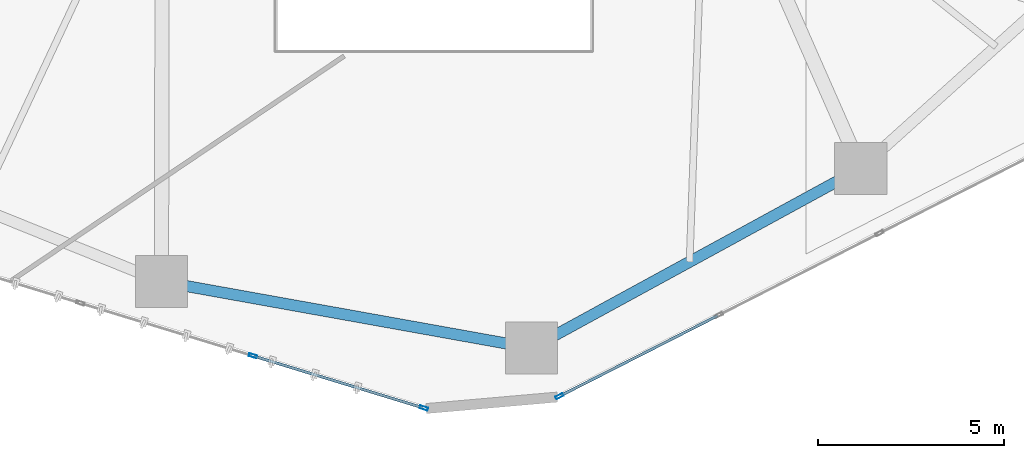
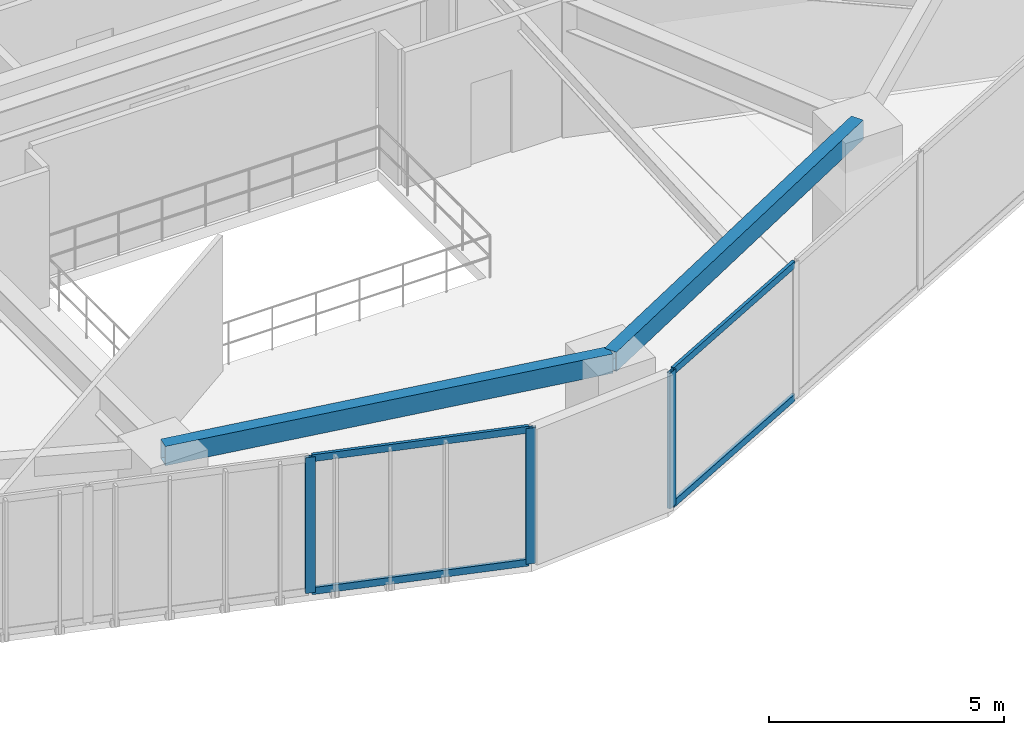
# One storey, part 5 of 24: 7 members, 2 beams, 2 elements without a shape of their own.
"""IFC4 building model written with IfcOpenShell, lengths in metres."""

from ifc_helpers import new_model, si_unit, direction, frame, origin, origin_2d, place, context, subcontext, project, spatial, hollow_rectangle, extrude, source, transform, mapped, material, layer, layer_set, material_profile, profile_set, type_object, type_shapes, element, aggregate, save


model = new_model("IFC4")

# Units and contexts
model_context = context("Model", 3, precision=1e-05, world=origin(), true_north=direction((0.0, 1.0)))
body_context = subcontext(model_context, "Body", "Model", "MODEL_VIEW")
ifc_project = project(units=[si_unit("LENGTHUNIT", "METRE"), si_unit("AREAUNIT", "SQUARE_METRE"), si_unit("VOLUMEUNIT", "CUBIC_METRE"), si_unit("PLANEANGLEUNIT", "RADIAN"), si_unit("MASSUNIT", "GRAM", prefix="KILO")], contexts=[model_context])

# Site, building, storey
site_placement = place(None, origin())
site = spatial("IfcSite", under=ifc_project, at=site_placement, CompositionType="ELEMENT")
building_placement = place(site_placement, origin())
building = spatial("IfcBuilding", under=site, at=building_placement, Name="Talar Marvaseh", CompositionType="ELEMENT")
storey_placement = place(building_placement, frame((0.0, 0.0, 39.199951171875)))
storey = spatial("IfcBuildingStorey", under=building, at=storey_placement, Name="L09", CompositionType="ELEMENT", Elevation=39.199951171875)

# Beams
ifc_material_1 = material(Name="Steel S355", Category="steel")
ifc_material_profile_1 = material_profile(ifc_material_1, hollow_rectangle(XDim=0.300048828125, YDim=0.5, WallThickness=0.02001953125, at=origin_2d()), Name="RHS500x300x20")
ifc_profile_set_1 = profile_set([ifc_material_profile_1], Name="Steel S355")
beam_type = type_object("IfcBeamType", Name="Zone 1 Perimeter Spandrel Beam RHS500x300x20", PredefinedType="SPANDREL", material=ifc_profile_set_1)
beam_1_placement = place(storey_placement, frame((37.468017578125, 16.02099609375, 3.27001953125), z_axis=(-0.877792749602, -0.47904059196, 0.0), x_axis=(0.47904059196, -0.877792749602, 0.0)))
element("IfcBeam", 1, at=beam_1_placement, inside=storey, type_object=beam_type, Name="L09 Zone 1 Perimeter Spandrel Beam RHS500x300x20", PredefinedType="SPANDREL", context=body_context, shape_type="SweptSolid", body=[
    extrude(hollow_rectangle(XDim=0.300048828125, YDim=0.5, WallThickness=0.02001953125, at=origin_2d()), origin(), (0.0, 0.0, 1.0), 10.07421875),
])
beam_2_placement = place(storey_placement, frame((28.625, 11.195068359375, 3.27001953125), z_axis=(-0.984279934962, 0.176615428632, 0.0), x_axis=(-0.176615428632, -0.984279934962, 0.0)))
element("IfcBeam", 2, at=beam_2_placement, inside=storey, type_object=beam_type, Name="L09 Zone 1 Perimeter Spandrel Beam RHS500x300x20", PredefinedType="SPANDREL", context=body_context, shape_type="SweptSolid", body=[
    extrude(hollow_rectangle(XDim=0.300048828125, YDim=0.5, WallThickness=0.02001953125, at=origin_2d()), origin(), (0.0, 0.0, 1.0), 10.1005859375),
])

# Curtain wall, member
ifc_material_2 = material(Name="Architectural Aluminium", Category="aluminium")
ifc_layer = layer(ifc_material_2, 0.219970703125)
ifc_layer_set = layer_set([ifc_layer], Name="Architectural Aluminium")
curtain_wall_type = type_object("IfcCurtainWallType", Name="Unitised Low-E Museum Curtain Wall Z1", PredefinedType="NOTDEFINED", material=ifc_layer_set)
curtain_wall_1_placement = place(storey_placement, origin())
curtain_wall_1 = element("IfcCurtainWall", 3, at=curtain_wall_1_placement, inside=storey, type_object=curtain_wall_type, Name="L09 Unitised Low-E Museum Curtain Wall Z1", PredefinedType="NOTDEFINED")
ifc_material_profile_2 = material_profile(ifc_material_2, hollow_rectangle(XDim=0.080078125, YDim=0.219970703125, WallThickness=0.0048828125, at=origin_2d()), Name="RHS220x80x5")
ifc_profile_set_2 = profile_set([ifc_material_profile_2], Name="Architectural Aluminium")
member_type_1 = type_object("IfcMemberType", Name="Unitised Curtain Wall Heavy Mullion RHS220x80x5", PredefinedType="MULLION", material=ifc_profile_set_2)
shared_shape_1 = source(origin(), body_context, "Body", "SweptSolid", [
    extrude(hollow_rectangle(XDim=0.080078125, YDim=0.219970703125, WallThickness=0.0048828125, at=origin_2d()), origin(), (0.0, 0.0, 1.0), 3.52001953125),
])
type_shapes(member_type_1, [shared_shape_1])
member_1_placement = place(storey_placement, frame((29.374267578125, 9.900390625, 0.0), z_axis=(0.0, 0.0, 1.0), x_axis=(0.453850095655, -0.891078049709, 0.0)))
member_1 = element("IfcMember", 4, at=member_1_placement, type_object=member_type_1, Name="CW-Z1 mullion 6", PredefinedType="MULLION", context=body_context, shape_type="MappedRepresentation", body=[
    mapped(shared_shape_1, transform((0.0, 0.0, 0.0), x_axis=(1.0, 0.0, 0.0), y_axis=(0.0, 1.0, 0.0), z_axis=(0.0, 0.0, 1.0), scale=1.0)),
])

# Curtain wall, members
curtain_wall_2_placement = place(storey_placement, origin())
curtain_wall_2 = element("IfcCurtainWall", 5, at=curtain_wall_2_placement, inside=storey, type_object=curtain_wall_type, Name="L09 Unitised Low-E Museum Curtain Wall Z1", PredefinedType="NOTDEFINED")
member_2_placement = place(storey_placement, frame((25.733154296875, 9.581787109375, 0.0), z_axis=(0.0, 0.0, 1.0), x_axis=(-0.29222314974, -0.956350161163, 0.0)))
member_2 = element("IfcMember", 6, at=member_2_placement, type_object=member_type_1, Name="CW-Z1 mullion 1", PredefinedType="MULLION", context=body_context, shape_type="MappedRepresentation", body=[
    mapped(shared_shape_1, transform((0.0, 0.0, 0.0), x_axis=(1.0, 0.0, 0.0), y_axis=(0.0, 1.0, 0.0), z_axis=(0.0, 0.0, 1.0), scale=1.0)),
])
member_3_placement = place(storey_placement, frame((21.137451171875, 10.986083984375, 0.0), z_axis=(0.0, 0.0, 1.0), x_axis=(-0.29222314974, -0.956350161163, 0.0)))
member_3 = element("IfcMember", 7, at=member_3_placement, type_object=member_type_1, Name="CW-Z1 mullion 2", PredefinedType="MULLION", context=body_context, shape_type="MappedRepresentation", body=[
    mapped(shared_shape_1, transform((0.0, 0.0, 0.0), x_axis=(1.0, 0.0, 0.0), y_axis=(0.0, 1.0, 0.0), z_axis=(0.0, 0.0, 1.0), scale=1.0)),
])

# Member
ifc_material_profile_3 = material_profile(ifc_material_2, hollow_rectangle(XDim=0.074951171875, YDim=0.179931640625, WallThickness=0.0048828125, at=origin_2d()), Name="RHS180x75x5")
ifc_profile_set_3 = profile_set([ifc_material_profile_3], Name="Architectural Aluminium")
member_type_2 = type_object("IfcMemberType", Name="Unitised Curtain Wall Transom RHS180x75x5", PredefinedType="USERDEFINED", material=ifc_profile_set_3)
shared_shape_2 = source(origin(), body_context, "Body", "SweptSolid", [
    extrude(hollow_rectangle(XDim=0.074951171875, YDim=0.179931640625, WallThickness=0.0048828125, at=origin_2d()), origin(), (0.0, 0.0, 1.0), 4.725341796875),
])
type_shapes(member_type_2, [shared_shape_2])
member_4_placement = place(storey_placement, frame((33.62060546875, 12.063232421875, 0.03759765625), z_axis=(-0.891085623768, -0.453835224629, 0.0), x_axis=(0.453835224629, -0.891085623768, 0.0)))
member_4 = element("IfcMember", 8, at=member_4_placement, type_object=member_type_2, Name="CW-Z1 transom 5.1", ObjectType="TRANSOM", PredefinedType="USERDEFINED", context=body_context, shape_type="MappedRepresentation", body=[
    mapped(shared_shape_2, transform((0.0, 0.0, 0.0), x_axis=(1.0, 0.0, 0.0), y_axis=(0.0, 1.0, 0.0), z_axis=(0.0, 0.0, 1.0), scale=1.0)),
])

member_5_placement = place(storey_placement, frame((33.62060546875, 12.063232421875, 3.482666015625), z_axis=(-0.891085623768, -0.453835224629, 0.0), x_axis=(0.453835224629, -0.891085623768, 0.0)))
member_5 = element("IfcMember", 9, at=member_5_placement, type_object=member_type_2, Name="CW-Z1 transom 5.2", ObjectType="TRANSOM", PredefinedType="USERDEFINED", context=body_context, shape_type="MappedRepresentation", body=[
    mapped(shared_shape_2, transform((0.0, 0.0, 0.0), x_axis=(1.0, 0.0, 0.0), y_axis=(0.0, 1.0, 0.0), z_axis=(0.0, 0.0, 1.0), scale=1.0)),
])

aggregate(curtain_wall_1, [member_1, member_4, member_5])

member_6_placement = place(storey_placement, frame((25.69482421875, 9.593505859375, 0.03759765625), z_axis=(-0.956349164528, 0.292226411376, 0.0), x_axis=(-0.292226411376, -0.956349164528, 0.0)))
member_6 = element("IfcMember", 10, at=member_6_placement, type_object=member_type_2, Name="CW-Z1 transom 1.1", ObjectType="TRANSOM", PredefinedType="USERDEFINED", context=body_context, shape_type="MappedRepresentation", body=[
    mapped(shared_shape_2, transform((0.0, 0.0, 0.0), x_axis=(1.0, 0.0, 0.0), y_axis=(0.0, 1.0, 0.0), z_axis=(0.0, 0.0, 1.0), scale=1.0)),
])

member_7_placement = place(storey_placement, frame((25.69482421875, 9.593505859375, 3.482666015625), z_axis=(-0.956349164528, 0.292226411376, 0.0), x_axis=(-0.292226411376, -0.956349164528, 0.0)))
member_7 = element("IfcMember", 11, at=member_7_placement, type_object=member_type_2, Name="CW-Z1 transom 1.2", ObjectType="TRANSOM", PredefinedType="USERDEFINED", context=body_context, shape_type="MappedRepresentation", body=[
    mapped(shared_shape_2, transform((0.0, 0.0, 0.0), x_axis=(1.0, 0.0, 0.0), y_axis=(0.0, 1.0, 0.0), z_axis=(0.0, 0.0, 1.0), scale=1.0)),
])

aggregate(curtain_wall_2, [member_2, member_3, member_6, member_7])

save(model, "model.ifc")
